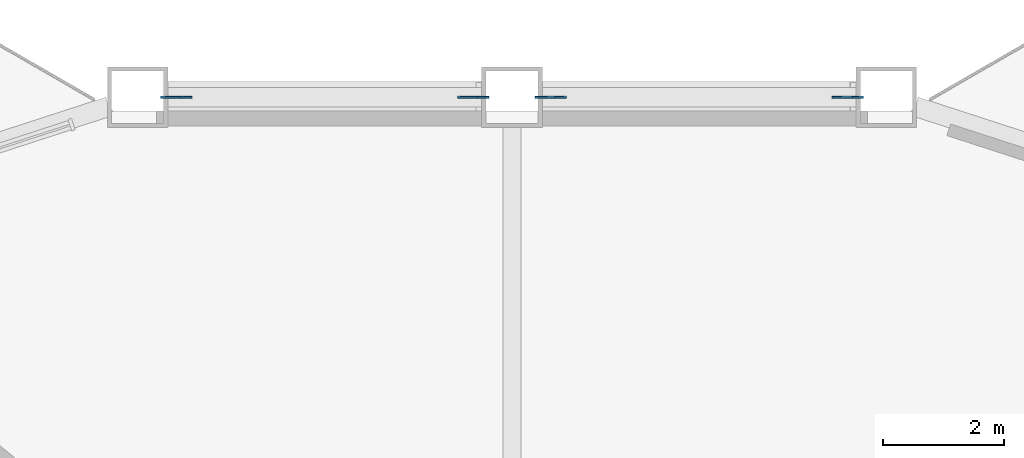
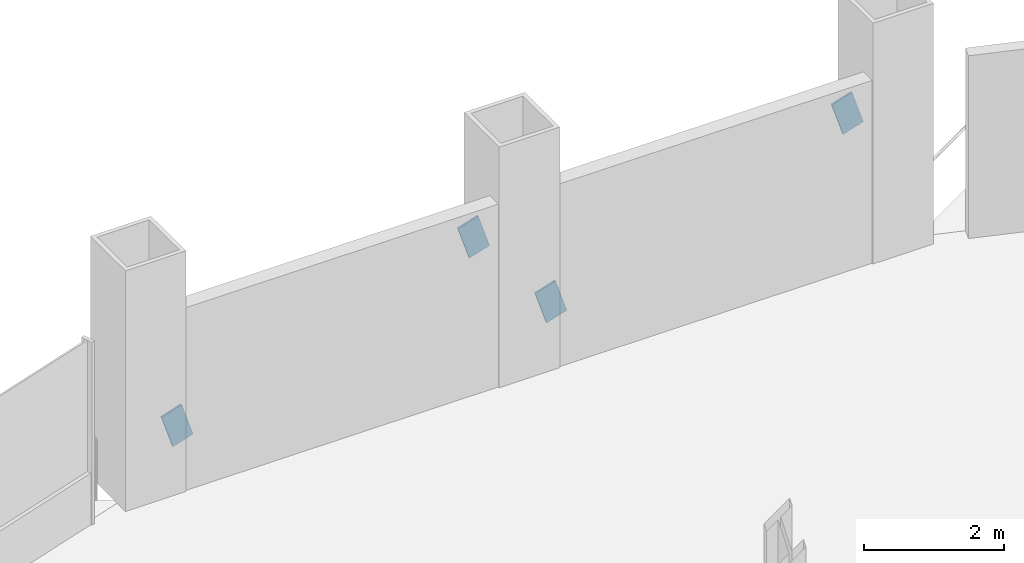
# One storey, part 15 of 20: 4 discrete accessories.
"""IFC4 building model written with IfcOpenShell, lengths in metres."""

from ifc_helpers import new_model, si_unit, direction, frame, origin, origin_2d, place, context, subcontext, project, spatial, rectangle, extrude, material, material_profile, profile_set, type_object, element, save


model = new_model("IFC4")

# Units and contexts
model_context = context("Model", 3, precision=1e-05, world=origin(), true_north=direction((0.0, 1.0)))
body_context = subcontext(model_context, "Body", "Model", "MODEL_VIEW")
ifc_project = project(units=[si_unit("LENGTHUNIT", "METRE"), si_unit("AREAUNIT", "SQUARE_METRE"), si_unit("VOLUMEUNIT", "CUBIC_METRE"), si_unit("PLANEANGLEUNIT", "RADIAN"), si_unit("MASSUNIT", "GRAM", prefix="KILO")], contexts=[model_context])

# Site, building, storey
site_placement = place(None, origin())
site = spatial("IfcSite", under=ifc_project, at=site_placement, CompositionType="ELEMENT")
building_placement = place(site_placement, origin())
building = spatial("IfcBuilding", under=site, at=building_placement, Name="Cormorant Prow Tower", CompositionType="ELEMENT")
storey_placement = place(building_placement, frame((0.0, 0.0, 55.199951171875)))
storey = spatial("IfcBuildingStorey", under=building, at=storey_placement, Name="L11", CompositionType="ELEMENT", Elevation=55.199951171875)

# Discrete accessories
ifc_material = material(Name="Structural steel ASTM A500 Gr C", Category="steel")
ifc_material_profile = material_profile(ifc_material, rectangle(XDim=0.031982421875, YDim=0.60791015625, at=origin_2d()), Name="Gusset plate 32x608")
ifc_profile_set = profile_set([ifc_material_profile], Name="Structural steel ASTM A500 Gr C")
discrete_accessory_type = type_object("IfcDiscreteAccessoryType", Name="Gusset plate 32x608", PredefinedType="BRACKET", material=ifc_profile_set)
for number, where, z_axis, x_axis, name in (
    (1, (0.80419921875, 32.233642578125, 0.859375), (-0.951708617761, 0.0, -0.307002779923), (0.0, -1.0, 0.0), "Gusset plate GP1 L11.N00.g0"),
    (2, (5.365478515625, 32.233642578125, 2.32958984375), (0.951708617761, 0.0, 0.307002779923), (0.0, 1.0, 0.0), "Gusset plate GP1 L11.N00.g1"),
    (3, (-5.365478515625, 32.233642578125, 0.859375), (-0.951708617761, 0.0, -0.307002779923), (0.0, -1.0, 0.0), "Gusset plate GP1 L11.N01.g0"),
    (4, (-0.80419921875, 32.233642578125, 2.32958984375), (0.951708617761, 0.0, 0.307002779923), (0.0, 1.0, 0.0), "Gusset plate GP1 L11.N01.g1"),
):
    element("IfcDiscreteAccessory", number, at=place(storey_placement, frame(where, z_axis=z_axis, x_axis=x_axis)), inside=storey, type_object=discrete_accessory_type, Name=name, PredefinedType="BRACKET", context=body_context, shape_type="SweptSolid", body=[
        extrude(rectangle(XDim=0.031982421875, YDim=0.60791015625, at=origin_2d()), origin(), (0.0, 0.0, 1.0), 0.349853515625),
    ])

save(model, "model.ifc")
